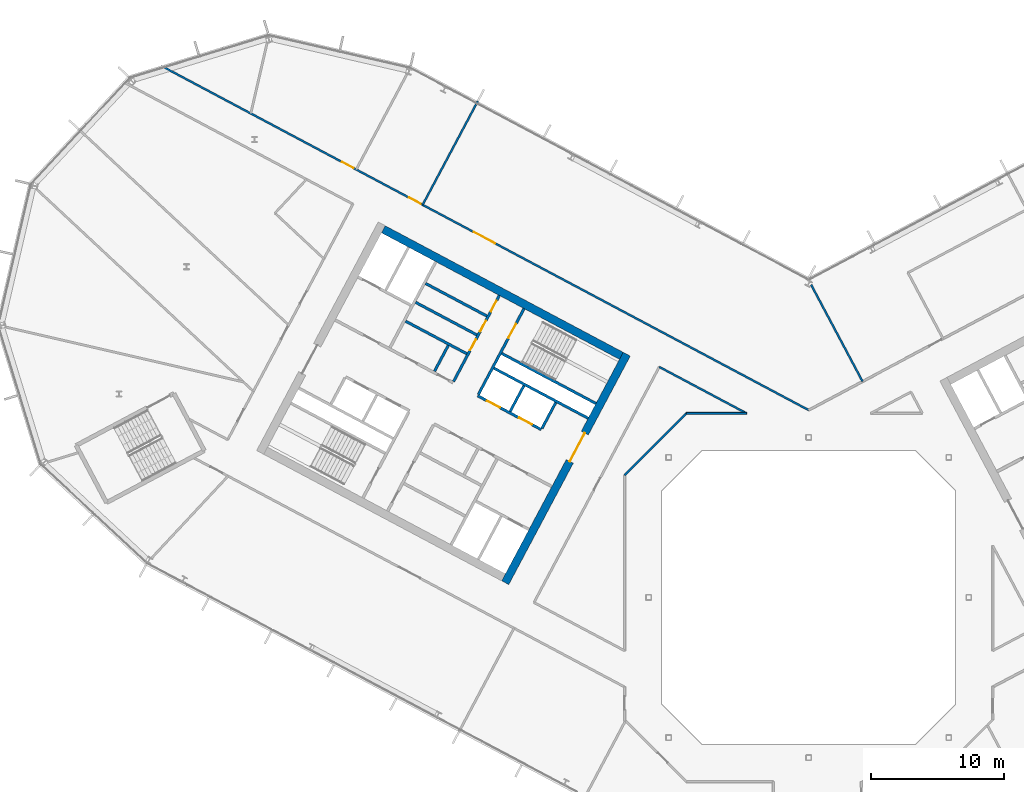
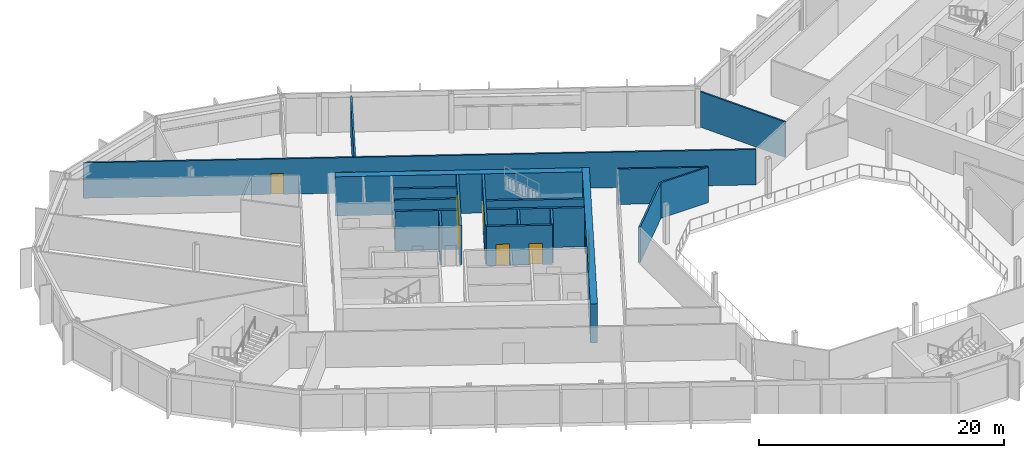
# One storey, part 14 of 26: 19 walls, 10 doors, 10 openings.
"""IFC4 building model written with IfcOpenShell, lengths in metres."""

from ifc_helpers import new_model, si_unit, direction, frame, frame_2d, origin, place, context, subcontext, project, spatial, rectangle, extrude, material, layer, layer_set, type_object, element, fill, save


model = new_model("IFC4")

# Units and contexts
model_context = context("Model", 3, precision=1e-05, world=origin(), true_north=direction((0.0, 1.0)))
body_context = subcontext(model_context, "Body", "Model", "MODEL_VIEW")
ifc_project = project(units=[si_unit("LENGTHUNIT", "METRE"), si_unit("AREAUNIT", "SQUARE_METRE"), si_unit("VOLUMEUNIT", "CUBIC_METRE"), si_unit("PLANEANGLEUNIT", "RADIAN"), si_unit("MASSUNIT", "GRAM", prefix="KILO")], contexts=[model_context])

# Site, building, storey
site_placement = place(None, origin())
site = spatial("IfcSite", under=ifc_project, at=site_placement, CompositionType="ELEMENT")
building_placement = place(site_placement, origin())
building = spatial("IfcBuilding", under=site, at=building_placement, Name="Cormorant Relay Tower", CompositionType="ELEMENT")
storey_placement = place(building_placement, frame((0.0, 0.0, 193.5)))
storey = spatial("IfcBuildingStorey", under=building, at=storey_placement, Name="L41", CompositionType="ELEMENT", Elevation=193.5)

# Walls
ifc_material_1 = material(Name="Concrete 40 MPa", Category="concrete")
ifc_layer_1 = layer(ifc_material_1, 0.199951171875)
ifc_layer_set_1 = layer_set([ifc_layer_1], Name="Core internal wall 200")
wall_type_1 = type_object("IfcWallType", Name="Core internal wall 200", PredefinedType="SOLIDWALL", material=ifc_layer_set_1)
for number, where, z_axis, x_axis, name in (
    (1, (-21.34375, 15.87890625, 0.0), (0.0, 0.0, 1.0), (-0.4694473164, -0.882960484464, 0.0), "L41 core A shaft and room wall"),
    (2, (-27.01220703125, 18.892822265625, 0.0), (0.0, 0.0, 1.0), (-0.4694473164, -0.882960484464, 0.0), "L41 core A shaft and room wall"),
):
    element("IfcWall", number, at=place(storey_placement, frame(where, z_axis=z_axis, x_axis=x_axis)), inside=storey, type_object=wall_type_1, Name=name, PredefinedType="SOLIDWALL", context=body_context, shape_type="SweptSolid", body=[
        extrude(rectangle(XDim=2.199951171875, YDim=0.199951171875, at=frame_2d((1.10009765625, 0.0))), origin(), (0.0, 0.0, 1.0), 3.89990234375),
    ])
for number, where, z_axis, x_axis, name in (
    (3, (-24.120849609375, 21.093017578125, 0.0), (0.0, 0.0, 1.0), (-0.882953967957, 0.469459572775, 0.0), "L41 core A shaft and room wall"),
    (4, (-24.8720703125, 19.680419921875, 0.0), (0.0, 0.0, 1.0), (-0.882953967957, 0.469459572775, 0.0), "L41 core A shaft and room wall"),
):
    element("IfcWall", number, at=place(storey_placement, frame(where, z_axis=z_axis, x_axis=x_axis)), inside=storey, type_object=wall_type_1, Name=name, PredefinedType="SOLIDWALL", context=body_context, shape_type="SweptSolid", body=[
        extrude(rectangle(XDim=5.199951171875, YDim=0.199951171875, at=frame_2d((2.60009765625, 0.0))), origin(), (0.0, 0.0, 1.0), 3.89990234375),
    ])
ifc_material_2 = material(Name="Concrete 50 MPa", Category="concrete")
ifc_layer_2 = layer(ifc_material_2, 0.199951171875)
ifc_layer_set_2 = layer_set([ifc_layer_2], Name="Core shaft wall 200")
wall_type_2 = type_object("IfcWallType", Name="Core shaft wall 200", PredefinedType="SHEAR", material=ifc_layer_set_2)
wall_1_placement = place(storey_placement, frame((-18.959716796875, 14.611328125, 0.0), z_axis=(0.0, 0.0, 1.0), x_axis=(-0.4694473164, -0.882960484464, 0.0)))
element("IfcWall", 5, at=wall_1_placement, inside=storey, type_object=wall_type_2, Name="L41 core A shaft wall", PredefinedType="SHEAR", context=body_context, shape_type="SweptSolid", body=[
    extrude(rectangle(XDim=2.199951171875, YDim=0.199951171875, at=frame_2d((1.10009765625, 0.0))), origin(), (0.0, 0.0, 1.0), 3.89990234375),
])

# Wall, opening, door
wall_2_placement = place(storey_placement, frame((-21.333251953125, 21.6494140625, 0.0), z_axis=(0.0, 0.0, 1.0), x_axis=(-0.469494272526, -0.882935517501, 0.0)))
wall_2 = element("IfcWall", 6, at=wall_2_placement, inside=storey, type_object=wall_type_2, Name="L41 core A shaft wall", PredefinedType="SHEAR", context=body_context, shape_type="SweptSolid", body=[
    extrude(rectangle(XDim=7.2998046875, YDim=0.199951171875, at=frame_2d((3.64990234375, 0.0))), origin(), (0.0, 0.0, 1.0), 3.89990234375),
])
opening_1_placement = place(wall_2_placement, frame((1.300048828125, 0.0, 0.0)))
opening_1 = element("IfcOpeningElement", 7, at=opening_1_placement, cuts=wall_2, Name="Opening CDB-038", PredefinedType="OPENING", context=body_context, shape_type="SweptSolid", body=[
    extrude(rectangle(XDim=1.199951171875, YDim=2.10009765625, at=frame_2d((0.60009765625, 1.050048828125))), frame((0.0, 0.10986328125, 0.0), z_axis=(0.0, -1.0, 0.0), x_axis=(1.0, 0.0, 0.0)), (0.0, 0.0, 1.0), 0.219970703125),
])
ifc_material_3 = material(Name="Steel fire door", Category="steel")
door_type_1 = type_object("IfcDoorType", Name="Core stair door 1200x2100", OperationType="SINGLE_SWING_LEFT", PredefinedType="DOOR", material=ifc_material_3)
door_1_placement = place(opening_1_placement, origin())
door_1 = element("IfcDoor", 8, at=door_1_placement, inside=storey, type_object=door_type_1, Name="Core stair door 1200x2100", OperationType="SINGLE_SWING_RIGHT", OverallHeight=2.10009765625, OverallWidth=1.199951171875, PredefinedType="DOOR", context=body_context, shape_type="SweptSolid", body=[
    extrude(rectangle(XDim=1.199951171875, YDim=2.10009765625, at=frame_2d((0.60009765625, 1.050048828125))), frame((0.0, 0.02490234375, 0.0), z_axis=(0.0, -1.0, 0.0), x_axis=(1.0, 0.0, 0.0)), (0.0, 0.0, 1.0), 0.050048828125),
])
fill(opening_1, door_1)

# Wall, openings, doors
wall_3_placement = place(storey_placement, frame((-23.1875, 22.635498046875, 0.0), z_axis=(0.0, 0.0, 1.0), x_axis=(-0.469454336211, -0.882956752176, 0.0)))
wall_3 = element("IfcWall", 9, at=wall_3_placement, inside=storey, type_object=wall_type_2, Name="L41 core A shaft wall", PredefinedType="SHEAR", context=body_context, shape_type="SweptSolid", body=[
    extrude(rectangle(XDim=7.300048828125, YDim=0.199951171875, at=frame_2d((3.64990234375, 0.0))), origin(), (0.0, 0.0, 1.0), 3.89990234375),
])
opening_2_placement = place(wall_3_placement, frame((0.449951171875, 0.0, 0.0)))
opening_2 = element("IfcOpeningElement", 10, at=opening_2_placement, cuts=wall_3, Name="Opening CDD-238", PredefinedType="OPENING", context=body_context, shape_type="SweptSolid", body=[
    extrude(rectangle(XDim=0.89990234375, YDim=2.10009765625, at=frame_2d((0.449951171875, 1.050048828125))), frame((0.0, 0.10986328125, 0.0), z_axis=(0.0, -1.0, 0.0), x_axis=(1.0, 0.0, 0.0)), (0.0, 0.0, 1.0), 0.219970703125),
])
opening_3_placement = place(wall_3_placement, frame((2.14990234375, 0.0, 0.0)))
opening_3 = element("IfcOpeningElement", 11, at=opening_3_placement, cuts=wall_3, Name="Opening CDD-239", PredefinedType="OPENING", context=body_context, shape_type="SweptSolid", body=[
    extrude(rectangle(XDim=0.89990234375, YDim=2.10009765625, at=frame_2d((0.449951171875, 1.050048828125))), frame((0.0, 0.10986328125, 0.0), z_axis=(0.0, -1.0, 0.0), x_axis=(1.0, 0.0, 0.0)), (0.0, 0.0, 1.0), 0.219970703125),
])
opening_4_placement = place(wall_3_placement, frame((3.75, 0.0, 0.0)))
opening_4 = element("IfcOpeningElement", 12, at=opening_4_placement, cuts=wall_3, Name="Opening CDD-240", PredefinedType="OPENING", context=body_context, shape_type="SweptSolid", body=[
    extrude(rectangle(XDim=0.89990234375, YDim=2.10009765625, at=frame_2d((0.449951171875, 1.050048828125))), frame((0.0, 0.10986328125, 0.0), z_axis=(0.0, -1.0, 0.0), x_axis=(1.0, 0.0, 0.0)), (0.0, 0.0, 1.0), 0.219970703125),
])
ifc_material_4 = material(Name="Steel fire door", Category="steel")
door_type_2 = type_object("IfcDoorType", Name="Core room door 900x2100", OperationType="SINGLE_SWING_LEFT", PredefinedType="DOOR", material=ifc_material_4)
door_2_placement = place(opening_2_placement, origin())
door_2 = element("IfcDoor", 13, at=door_2_placement, inside=storey, type_object=door_type_2, Name="Core room door 900x2100", OperationType="SINGLE_SWING_LEFT", OverallHeight=2.10009765625, OverallWidth=0.89990234375, PredefinedType="DOOR", context=body_context, shape_type="SweptSolid", body=[
    extrude(rectangle(XDim=0.89990234375, YDim=2.10009765625, at=frame_2d((0.449951171875, 1.050048828125))), frame((0.0, 0.02490234375, 0.0), z_axis=(0.0, -1.0, 0.0), x_axis=(1.0, 0.0, 0.0)), (0.0, 0.0, 1.0), 0.050048828125),
])
fill(opening_2, door_2)
door_3_placement = place(opening_3_placement, origin())
door_3 = element("IfcDoor", 14, at=door_3_placement, inside=storey, type_object=door_type_2, Name="Core room door 900x2100", OperationType="SINGLE_SWING_LEFT", OverallHeight=2.10009765625, OverallWidth=0.89990234375, PredefinedType="DOOR", context=body_context, shape_type="SweptSolid", body=[
    extrude(rectangle(XDim=0.89990234375, YDim=2.10009765625, at=frame_2d((0.449951171875, 1.050048828125))), frame((0.0, 0.02490234375, 0.0), z_axis=(0.0, -1.0, 0.0), x_axis=(1.0, 0.0, 0.0)), (0.0, 0.0, 1.0), 0.050048828125),
])
fill(opening_3, door_3)
door_4_placement = place(opening_4_placement, frame((0.89990234375, 0.0, 0.0), z_axis=(0.0, 0.0, 1.0), x_axis=(-1.0, 0.0, 0.0)))
door_4 = element("IfcDoor", 15, at=door_4_placement, inside=storey, type_object=door_type_2, Name="Core room door 900x2100", OperationType="SINGLE_SWING_RIGHT", OverallHeight=2.10009765625, OverallWidth=0.89990234375, PredefinedType="DOOR", context=body_context, shape_type="SweptSolid", body=[
    extrude(rectangle(XDim=0.89990234375, YDim=2.10009765625, at=frame_2d((0.449951171875, 1.050048828125))), frame((0.0, 0.02490234375, 0.0), z_axis=(0.0, -1.0, 0.0), x_axis=(1.0, 0.0, 0.0)), (0.0, 0.0, 1.0), 0.050048828125),
])
fill(opening_4, door_4)

# Walls
wall_4_placement = place(storey_placement, frame((-15.94189453125, 14.53564453125, 0.0), z_axis=(0.0, 0.0, 1.0), x_axis=(-0.882946947542, 0.469472776449, 0.0)))
element("IfcWall", 16, at=wall_4_placement, inside=storey, type_object=wall_type_2, Name="L41 core A shaft wall", PredefinedType="SHEAR", context=body_context, shape_type="SweptSolid", body=[
    extrude(rectangle(XDim=8.000244140625, YDim=0.199951171875, at=frame_2d((4.0, 0.0))), origin(), (0.0, 0.0, 1.0), 3.89990234375),
])
wall_5_placement = place(storey_placement, frame((-16.52880859375, 13.43212890625, 0.0), z_axis=(0.0, 0.0, 1.0), x_axis=(-0.88295287151, 0.469461634952, 0.0)))
element("IfcWall", 17, at=wall_5_placement, inside=storey, type_object=wall_type_2, Name="L41 core A shaft wall", PredefinedType="SHEAR", context=body_context, shape_type="SweptSolid", body=[
    extrude(rectangle(XDim=7.999755859375, YDim=0.199951171875, at=frame_2d((4.0, 0.0))), origin(), (0.0, 0.0, 1.0), 3.89990234375),
])
wall_6_placement = place(storey_placement, frame((-25.623046875, 18.267578125, 0.0), z_axis=(0.0, 0.0, 1.0), x_axis=(-0.882953967957, 0.469459572775, 0.0)))
element("IfcWall", 18, at=wall_6_placement, inside=storey, type_object=wall_type_2, Name="L41 core A shaft wall", PredefinedType="SHEAR", context=body_context, shape_type="SweptSolid", body=[
    extrude(rectangle(XDim=5.199951171875, YDim=0.199951171875, at=frame_2d((2.60009765625, 0.0))), origin(), (0.0, 0.0, 1.0), 3.89990234375),
])

# Wall, openings, doors
wall_7_placement = place(storey_placement, frame((-20.03955078125, 12.58056640625, 0.0), z_axis=(0.0, 0.0, 1.0), x_axis=(-0.882942972946, 0.469480251476, 0.0)))
wall_7 = element("IfcWall", 19, at=wall_7_placement, inside=storey, type_object=wall_type_2, Name="L41 core A shaft wall", PredefinedType="SHEAR", context=body_context, shape_type="SweptSolid", body=[
    extrude(rectangle(XDim=5.39990234375, YDim=0.199951171875, at=frame_2d((2.699951171875, 0.0))), origin(), (0.0, 0.0, 1.0), 3.89990234375),
])
opening_5_placement = place(wall_7_placement, frame((0.800048828125, 0.0, 0.0)))
opening_5 = element("IfcOpeningElement", 20, at=opening_5_placement, cuts=wall_7, Name="Opening LD1-061", PredefinedType="OPENING", context=body_context, shape_type="SweptSolid", body=[
    extrude(rectangle(XDim=1.10009765625, YDim=2.10009765625, at=frame_2d((0.550048828125, 1.050048828125))), frame((0.0, 0.10986328125, 0.0), z_axis=(0.0, -1.0, 0.0), x_axis=(1.0, 0.0, 0.0)), (0.0, 0.0, 1.0), 0.219970703125),
])
opening_6_placement = place(wall_7_placement, frame((3.5, 0.0, 0.0)))
opening_6 = element("IfcOpeningElement", 21, at=opening_6_placement, cuts=wall_7, Name="Opening LD1-062", PredefinedType="OPENING", context=body_context, shape_type="SweptSolid", body=[
    extrude(rectangle(XDim=1.10009765625, YDim=2.10009765625, at=frame_2d((0.550048828125, 1.050048828125))), frame((0.0, 0.10986328125, 0.0), z_axis=(0.0, -1.0, 0.0), x_axis=(1.0, 0.0, 0.0)), (0.0, 0.0, 1.0), 0.219970703125),
])
ifc_material_5 = material(Name="Stainless steel 316", Category="steel")
door_type_3 = type_object("IfcDoorType", Name="Lift landing door 1100x2100", OperationType="DOUBLE_DOOR_SLIDING", PredefinedType="DOOR", material=ifc_material_5)
door_5_placement = place(opening_5_placement, origin())
door_5 = element("IfcDoor", 22, at=door_5_placement, inside=storey, type_object=door_type_3, Name="MR3 landing door", OperationType="DOUBLE_DOOR_SLIDING", OverallHeight=2.10009765625, OverallWidth=1.10009765625, PredefinedType="DOOR", context=body_context, shape_type="SweptSolid", body=[
    extrude(rectangle(XDim=1.10009765625, YDim=2.10009765625, at=frame_2d((0.550048828125, 1.050048828125))), frame((0.0, 0.02490234375, 0.0), z_axis=(0.0, -1.0, 0.0), x_axis=(1.0, 0.0, 0.0)), (0.0, 0.0, 1.0), 0.050048828125),
])
fill(opening_5, door_5)
door_6_placement = place(opening_6_placement, origin())
door_6 = element("IfcDoor", 23, at=door_6_placement, inside=storey, type_object=door_type_3, Name="MR4 landing door", OperationType="DOUBLE_DOOR_SLIDING", OverallHeight=2.10009765625, OverallWidth=1.10009765625, PredefinedType="DOOR", context=body_context, shape_type="SweptSolid", body=[
    extrude(rectangle(XDim=1.10009765625, YDim=2.10009765625, at=frame_2d((0.550048828125, 1.050048828125))), frame((0.0, 0.02490234375, 0.0), z_axis=(0.0, -1.0, 0.0), x_axis=(1.0, 0.0, 0.0)), (0.0, 0.0, 1.0), 0.050048828125),
])
fill(opening_6, door_6)

# Wall, opening, door
ifc_material_6 = material(Name="Concrete 50 MPa", Category="concrete")
ifc_layer_3 = layer(ifc_material_6, 0.60009765625)
ifc_layer_set_3 = layer_set([ifc_layer_3], Name="Core wall 600")
wall_type_3 = type_object("IfcWallType", Name="Core wall 600", PredefinedType="SHEAR", material=ifc_layer_set_3)
wall_8_placement = place(storey_placement, frame((-13.634765625, 18.235595703125, 0.0), z_axis=(0.0, 0.0, 1.0), x_axis=(-0.469478769487, -0.88294376095, 0.0)))
wall_8 = element("IfcWall", 24, at=wall_8_placement, inside=storey, type_object=wall_type_3, Name="L41 core A wall", PredefinedType="SHEAR", context=body_context, shape_type="SweptSolid", body=[
    extrude(rectangle(XDim=19.400146484375, YDim=0.60009765625, at=frame_2d((9.7001953125, 0.0))), origin(), (0.0, 0.0, 1.0), 3.89990234375),
])
opening_7_placement = place(wall_8_placement, frame((6.699951171875, 0.0, 0.0)))
opening_7 = element("IfcOpeningElement", 25, at=opening_7_placement, cuts=wall_8, Name="Opening CDA-040", PredefinedType="OPENING", context=body_context, shape_type="SweptSolid", body=[
    extrude(rectangle(XDim=2.39990234375, YDim=2.39990234375, at=frame_2d((1.199951171875, 1.199951171875))), frame((0.0, 0.31005859375, 0.0), z_axis=(0.0, -1.0, 0.0), x_axis=(1.0, 0.0, 0.0)), (0.0, 0.0, 1.0), 0.6201171875),
])
ifc_material_7 = material(Name="Steel fire door", Category="steel")
door_type_4 = type_object("IfcDoorType", Name="Core lobby door 2400x2400", OperationType="DOUBLE_DOOR_SINGLE_SWING", PredefinedType="DOOR", material=ifc_material_7)
door_7_placement = place(opening_7_placement, frame((2.39990234375, 0.0, 0.0), z_axis=(0.0, 0.0, 1.0), x_axis=(-1.0, 0.0, 0.0)))
door_7 = element("IfcDoor", 26, at=door_7_placement, inside=storey, type_object=door_type_4, Name="Core lobby door 2400x2400", OperationType="DOUBLE_DOOR_SINGLE_SWING", OverallHeight=2.39990234375, OverallWidth=2.39990234375, PredefinedType="DOOR", context=body_context, shape_type="SweptSolid", body=[
    extrude(rectangle(XDim=2.39990234375, YDim=2.39990234375, at=frame_2d((1.199951171875, 1.199951171875))), frame((0.0, 0.02490234375, 0.0), z_axis=(0.0, -1.0, 0.0), x_axis=(1.0, 0.0, 0.0)), (0.0, 0.0, 1.0), 0.050048828125),
])
fill(opening_7, door_7)

# Wall
wall_9_placement = place(storey_placement, frame((-14.04052734375, 18.111572265625, 0.0), z_axis=(0.0, 0.0, 1.0), x_axis=(-0.882947755831, 0.46947125628, 0.0)))
element("IfcWall", 27, at=wall_9_placement, inside=storey, type_object=wall_type_3, Name="L41 core A wall", PredefinedType="SHEAR", context=body_context, shape_type="SweptSolid", body=[
    extrude(rectangle(XDim=20.2001953125, YDim=0.60009765625, at=frame_2d((10.10009765625, 0.0))), origin(), (0.0, 0.0, 1.0), 3.89990234375),
])

# Wall, openings, doors
ifc_material_8 = material(Name="Gypsum board fire partition")
ifc_layer_4 = layer(ifc_material_8, 0.14990234375)
ifc_layer_set_4 = layer_set([ifc_layer_4], Name="Corridor partition 150 EI 60")
wall_type_4 = type_object("IfcWallType", Name="Corridor partition 150 EI 60", PredefinedType="PARTITIONING", material=ifc_layer_set_4)
wall_10_placement = place(storey_placement, frame((-48.541015625, 39.85400390625, 0.0), z_axis=(0.0, 0.0, 1.0), x_axis=(0.882945008423, -0.469476423372, 0.0)))
wall_10 = element("IfcWall", 28, at=wall_10_placement, inside=storey, type_object=wall_type_4, Name="wall/L41/part/011", PredefinedType="PARTITIONING", context=body_context, shape_type="SweptSolid", body=[
    extrude(rectangle(XDim=54.976318359375, YDim=0.14990234375, at=frame_2d((27.48828125, 0.0))), origin(), (0.0, 0.0, 1.0), 3.5400390625),
])
opening_8_placement = place(wall_10_placement, frame((26.550048828125, 0.0, 0.0)))
opening_8 = element("IfcOpeningElement", 29, at=opening_8_placement, cuts=wall_10, Name="Opening DD-024", PredefinedType="OPENING", context=body_context, shape_type="SweptSolid", body=[
    extrude(rectangle(XDim=1.800048828125, YDim=2.10009765625, at=frame_2d((0.89990234375, 1.050048828125))), frame((0.0, 0.0849609375, 0.0), z_axis=(0.0, -1.0, 0.0), x_axis=(1.0, 0.0, 0.0)), (0.0, 0.0, 1.0), 0.169921875),
])
opening_9_placement = place(wall_10_placement, frame((21.049072265625, 0.0, 0.0)))
opening_9 = element("IfcOpeningElement", 30, at=opening_9_placement, cuts=wall_10, Name="Opening DS-119", PredefinedType="OPENING", context=body_context, shape_type="SweptSolid", body=[
    extrude(rectangle(XDim=1.0, YDim=2.10009765625, at=frame_2d((0.5, 1.050048828125))), frame((0.0, 0.0849609375, 0.0), z_axis=(0.0, -1.0, 0.0), x_axis=(1.0, 0.0, 0.0)), (0.0, 0.0, 1.0), 0.169921875),
])
opening_10_placement = place(wall_10_placement, frame((15.35009765625, 0.0, 0.0)))
opening_10 = element("IfcOpeningElement", 31, at=opening_10_placement, cuts=wall_10, Name="Opening DS-120", PredefinedType="OPENING", context=body_context, shape_type="SweptSolid", body=[
    extrude(rectangle(XDim=1.0, YDim=2.10009765625, at=frame_2d((0.5, 1.050048828125))), frame((0.0, 0.0849609375, 0.0), z_axis=(0.0, -1.0, 0.0), x_axis=(1.0, 0.0, 0.0)), (0.0, 0.0, 1.0), 0.169921875),
])
ifc_material_9 = material(Name="Timber door leaf", Category="wood")
door_type_5 = type_object("IfcDoorType", Name="Suite door 1000x2100", OperationType="SINGLE_SWING_LEFT", PredefinedType="DOOR", material=ifc_material_9)
door_8_placement = place(opening_9_placement, origin())
door_8 = element("IfcDoor", 32, at=door_8_placement, inside=storey, type_object=door_type_5, Name="door/L41/016", OperationType="SINGLE_SWING_RIGHT", OverallHeight=2.10009765625, OverallWidth=1.0, PredefinedType="DOOR", context=body_context, shape_type="SweptSolid", body=[
    extrude(rectangle(XDim=1.0, YDim=2.10009765625, at=frame_2d((0.5, 1.050048828125))), frame((0.0, 0.02490234375, 0.0), z_axis=(0.0, -1.0, 0.0), x_axis=(1.0, 0.0, 0.0)), (0.0, 0.0, 1.0), 0.050048828125),
])
fill(opening_9, door_8)
door_9_placement = place(opening_10_placement, origin())
door_9 = element("IfcDoor", 33, at=door_9_placement, inside=storey, type_object=door_type_5, Name="door/L41/017", OperationType="SINGLE_SWING_RIGHT", OverallHeight=2.10009765625, OverallWidth=1.0, PredefinedType="DOOR", context=body_context, shape_type="SweptSolid", body=[
    extrude(rectangle(XDim=1.0, YDim=2.10009765625, at=frame_2d((0.5, 1.050048828125))), frame((0.0, 0.02490234375, 0.0), z_axis=(0.0, -1.0, 0.0), x_axis=(1.0, 0.0, 0.0)), (0.0, 0.0, 1.0), 0.050048828125),
])
fill(opening_10, door_9)
ifc_material_10 = material(Name="Timber door leaf", Category="wood")
door_type_6 = type_object("IfcDoorType", Name="Suite double door 1800x2100", OperationType="DOUBLE_DOOR_SINGLE_SWING", PredefinedType="DOOR", material=ifc_material_10)
door_10_placement = place(opening_8_placement, origin())
door_10 = element("IfcDoor", 34, at=door_10_placement, inside=storey, type_object=door_type_6, Name="door/L41/015", OperationType="DOUBLE_DOOR_SINGLE_SWING", OverallHeight=2.10009765625, OverallWidth=1.800048828125, PredefinedType="DOOR", context=body_context, shape_type="SweptSolid", body=[
    extrude(rectangle(XDim=1.800048828125, YDim=2.10009765625, at=frame_2d((0.89990234375, 1.050048828125))), frame((0.0, 0.02490234375, 0.0), z_axis=(0.0, -1.0, 0.0), x_axis=(1.0, 0.0, 0.0)), (0.0, 0.0, 1.0), 0.050048828125),
])
fill(opening_8, door_10)

# Walls
wall_11_placement = place(storey_placement, frame((-11.197998046875, 17.280029296875, 0.0), z_axis=(0.0, 0.0, 1.0), x_axis=(0.88294849999, -0.469469856717, 0.0)))
element("IfcWall", 35, at=wall_11_placement, inside=storey, type_object=wall_type_4, Name="wall/L41/part/045", PredefinedType="PARTITIONING", context=body_context, shape_type="SweptSolid", body=[
    extrude(rectangle(XDim=7.41259765625, YDim=0.14990234375, at=frame_2d((3.706298828125, 0.0))), origin(), (0.0, 0.0, 1.0), 3.5400390625),
])
wall_12_placement = place(storey_placement, frame((-4.653076171875, 13.800048828125, 0.0), z_axis=(0.0, 0.0, 1.0), x_axis=(-1.0, 0.0, 0.0)))
element("IfcWall", 36, at=wall_12_placement, inside=storey, type_object=wall_type_4, Name="wall/L41/part/046", PredefinedType="PARTITIONING", context=body_context, shape_type="SweptSolid", body=[
    extrude(rectangle(XDim=4.5068359375, YDim=0.14990234375, at=frame_2d((2.25341796875, 0.0))), origin(), (0.0, 0.0, 1.0), 3.5400390625),
])
wall_13_placement = place(storey_placement, frame((-9.159912109375, 13.800048828125, 0.0), z_axis=(0.0, 0.0, 1.0), x_axis=(-0.707106781187, -0.707106781187, 0.0)))
element("IfcWall", 37, at=wall_13_placement, inside=storey, type_object=wall_type_4, Name="wall/L41/part/047", PredefinedType="PARTITIONING", context=body_context, shape_type="SweptSolid", body=[
    extrude(rectangle(XDim=6.562255859375, YDim=0.14990234375, at=frame_2d((3.28125, 0.0))), origin(), (0.0, 0.0, 1.0), 3.5400390625),
])
ifc_material_11 = material(Name="Gypsum board partition")
ifc_layer_5 = layer(ifc_material_11, 0.14990234375)
ifc_layer_set_5 = layer_set([ifc_layer_5], Name="Tenant partition 150")
wall_type_5 = type_object("IfcWallType", Name="Tenant partition 150", PredefinedType="PARTITIONING", material=ifc_layer_set_5)
wall_14_placement = place(storey_placement, frame((-24.800048828125, 37.197021484375, 0.0), z_axis=(0.0, 0.0, 1.0), x_axis=(-0.469510830369, -0.882926712794, 0.0)))
element("IfcWall", 38, at=wall_14_placement, inside=storey, type_object=wall_type_5, Name="wall/L41/part/019", PredefinedType="PARTITIONING", context=body_context, shape_type="SweptSolid", body=[
    extrude(rectangle(XDim=8.80029296875, YDim=0.14990234375, at=frame_2d((4.400146484375, 0.0))), origin(), (0.0, 0.0, 1.0), 3.5400390625),
])
wall_15_placement = place(storey_placement, frame((0.18310546875, 23.43994140625, 0.0), z_axis=(0.0, 0.0, 1.0), x_axis=(0.469529135479, -0.882916978507, 0.0)))
element("IfcWall", 39, at=wall_15_placement, inside=storey, type_object=wall_type_5, Name="wall/L41/part/020", PredefinedType="PARTITIONING", context=body_context, shape_type="SweptSolid", body=[
    extrude(rectangle(XDim=8.210205078125, YDim=0.14990234375, at=frame_2d((4.10498046875, 0.0))), origin(), (0.0, 0.0, 1.0), 3.5400390625),
])

save(model, "model.ifc")
